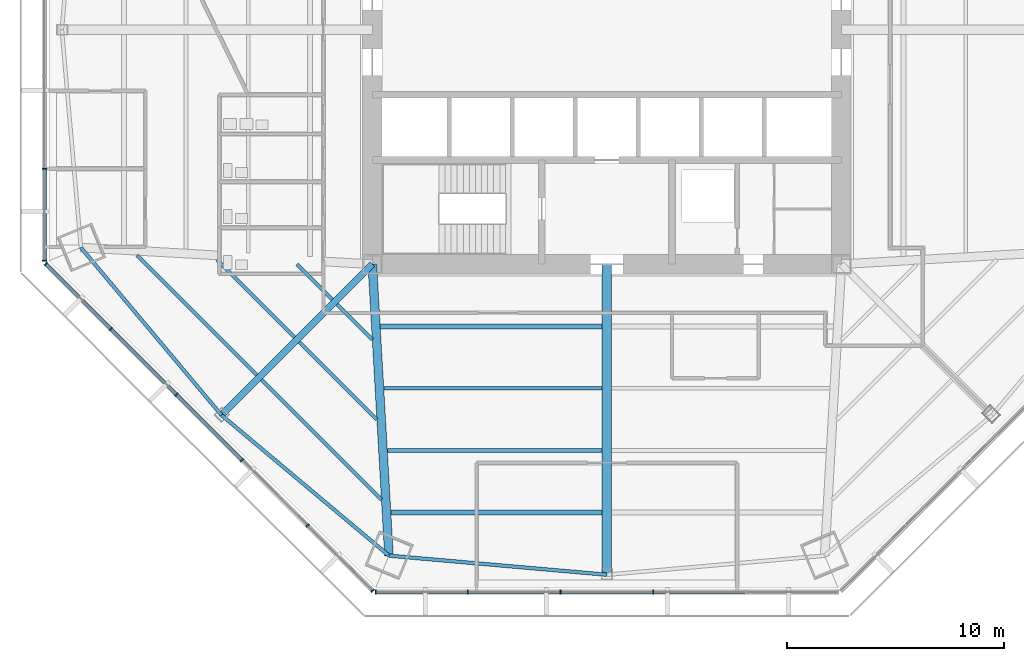
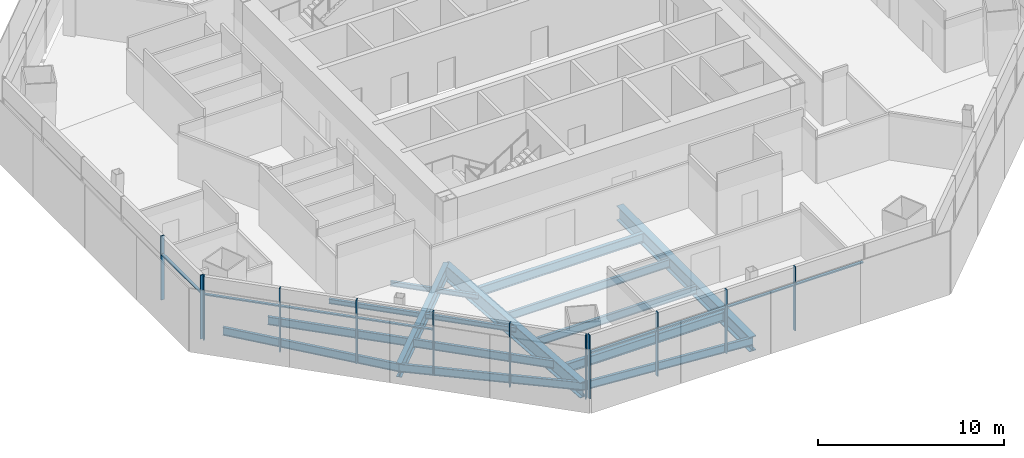
# One storey, part 2 of 15: 20 members, 16 beams, 3 elements without a shape of their own.
"""IFC4 building model written with IfcOpenShell, lengths in metres."""

from ifc_helpers import new_model, si_unit, direction, frame, origin, origin_2d, place, context, subcontext, project, spatial, rectangle, i_section, extrude, source, transform, mapped, material, material_profile, profile_set, type_object, type_shapes, element, aggregate, save


model = new_model("IFC4")

# Units and contexts
model_context = context("Model", 3, precision=1e-05, world=origin(), true_north=direction((0.0, 1.0)))
body_context = subcontext(model_context, "Body", "Model", "MODEL_VIEW")
ifc_project = project(units=[si_unit("LENGTHUNIT", "METRE"), si_unit("AREAUNIT", "SQUARE_METRE"), si_unit("VOLUMEUNIT", "CUBIC_METRE"), si_unit("PLANEANGLEUNIT", "RADIAN"), si_unit("MASSUNIT", "GRAM", prefix="KILO")], contexts=[model_context])

# Site, building, storey
site_placement = place(None, origin())
site = spatial("IfcSite", under=ifc_project, at=site_placement, CompositionType="ELEMENT")
building_placement = place(site_placement, origin())
building = spatial("IfcBuilding", under=site, at=building_placement, Name="Mashrafa Tower", CompositionType="ELEMENT")
storey_placement = place(building_placement, frame((0.0, 0.0, 75.0)))
storey = spatial("IfcBuildingStorey", under=building, at=storey_placement, Name="L16", CompositionType="ELEMENT", Elevation=75.0)

# Beams
ifc_material_1 = material(Name="Steel ASTM A992", Category="steel")
ifc_material_profile_1 = material_profile(ifc_material_1, i_section(OverallWidth=0.164794921875, OverallDepth=0.309814453125, WebThickness=0.005859375, FlangeThickness=0.009765625, FilletRadius=0.007568359375, at=origin_2d()), Name="W12X26")
ifc_profile_set_1 = profile_set([ifc_material_profile_1], Name="Steel ASTM A992")
beam_type_1 = type_object("IfcBeamType", Name="Beam W12X26", PredefinedType="BEAM", material=ifc_profile_set_1)
beam_1_placement = place(storey_placement, frame((-14.381103515625, -14.16552734375, -0.31982421875), z_axis=(-0.707106781187, 0.707106781187, 0.0), x_axis=(-0.707106781187, -0.707106781187, 0.0)))
element("IfcBeam", 1, at=beam_1_placement, inside=storey, type_object=beam_type_1, Name="Floor beam L16 012", PredefinedType="BEAM", context=body_context, shape_type="SweptSolid", body=[
    extrude(i_section(OverallWidth=0.164794921875, OverallDepth=0.309814453125, WebThickness=0.005859375, FlangeThickness=0.009765625, FilletRadius=0.007568359375, at=origin_2d()), origin(), (0.0, 0.0, 1.0), 5.054443359375),
])
for number, where, z_axis, x_axis, name in (
    (2, (-12.64453125, -12.428955078125, -0.31982421875), (-0.707106781187, 0.707106781187, 0.0), (-0.707106781187, -0.707106781187, 0.0), "Floor beam L16 016"),
    (3, (-10.802490234375, -14.27099609375, -0.31982421875), (-0.707106781187, 0.707106781187, 0.0), (-0.707106781187, -0.707106781187, 0.0), "Floor beam L16 019"),
):
    element("IfcBeam", number, at=place(storey_placement, frame(where, z_axis=z_axis, x_axis=x_axis)), inside=storey, type_object=beam_type_1, Name=name, PredefinedType="BEAM", context=body_context, shape_type="SweptSolid", body=[
        extrude(i_section(OverallWidth=0.164794921875, OverallDepth=0.309814453125, WebThickness=0.005859375, FlangeThickness=0.009765625, FilletRadius=0.007568359375, at=origin_2d()), origin(), (0.0, 0.0, 1.0), 2.300048828125),
    ])
beam_2_placement = place(storey_placement, frame((-10.591552734375, -17.955078125, -0.31982421875), z_axis=(-0.707106781187, 0.707106781187, 0.0), x_axis=(-0.707106781187, -0.707106781187, 0.0)))
element("IfcBeam", 4, at=beam_2_placement, inside=storey, type_object=beam_type_1, Name="Floor beam L16 021", PredefinedType="BEAM", context=body_context, shape_type="SweptSolid", body=[
    extrude(i_section(OverallWidth=0.164794921875, OverallDepth=0.309814453125, WebThickness=0.005859375, FlangeThickness=0.009765625, FilletRadius=0.007568359375, at=origin_2d()), origin(), (0.0, 0.0, 1.0), 5.054443359375),
])
ifc_material_2 = material(Name="Steel ASTM A992", Category="steel")
ifc_material_profile_2 = material_profile(ifc_material_2, i_section(OverallWidth=0.165771484375, OverallDepth=0.5283203125, WebThickness=0.009765625, FlangeThickness=0.013671875, FilletRadius=0.012939453125, at=origin_2d()), Name="W21X50")
ifc_profile_set_2 = profile_set([ifc_material_profile_2], Name="Steel ASTM A992")
beam_type_2 = type_object("IfcBeamType", Name="Beam W21X50", PredefinedType="BEAM", material=ifc_profile_set_2)
for number, where, z_axis, x_axis, name in (
    (5, (-16.117919921875, -15.90234375, -0.42919921875), (-0.707091148472, 0.707122413556, 0.0), (-0.707122413556, -0.707091148472, 0.0), "Floor beam L16 009"),
    (6, (-10.380615234375, -21.639404296875, -0.42919921875), (-0.707122413556, 0.707091148472, 0.0), (-0.707091148472, -0.707122413556, 0.0), "Floor beam L16 023"),
):
    element("IfcBeam", number, at=place(storey_placement, frame(where, z_axis=z_axis, x_axis=x_axis)), inside=storey, type_object=beam_type_2, Name=name, PredefinedType="BEAM", context=body_context, shape_type="SweptSolid", body=[
        extrude(i_section(OverallWidth=0.165771484375, OverallDepth=0.5283203125, WebThickness=0.009765625, FlangeThickness=0.013671875, FilletRadius=0.012939453125, at=origin_2d()), origin(), (0.0, 0.0, 1.0), 7.808837890625),
    ])
beam_3_placement = place(storey_placement, frame((-0.212158203125, -19.378662109375, -0.42919921875), z_axis=(-1.0, 0.0, 0.0), x_axis=(0.0, -1.0, 0.0)))
element("IfcBeam", 7, at=beam_3_placement, inside=storey, type_object=beam_type_2, Name="Floor beam L16 026", PredefinedType="BEAM", context=body_context, shape_type="SweptSolid", body=[
    extrude(i_section(OverallWidth=0.165771484375, OverallDepth=0.5283203125, WebThickness=0.009765625, FlangeThickness=0.013671875, FilletRadius=0.012939453125, at=origin_2d()), origin(), (0.0, 0.0, 1.0), 9.89599609375),
])
beam_4_placement = place(storey_placement, frame((-0.212158203125, -16.51904296875, -0.42919921875), z_axis=(-1.0, 0.0, 0.0), x_axis=(0.0, -1.0, 0.0)))
element("IfcBeam", 8, at=beam_4_placement, inside=storey, type_object=beam_type_2, Name="Floor beam L16 027", PredefinedType="BEAM", context=body_context, shape_type="SweptSolid", body=[
    extrude(i_section(OverallWidth=0.165771484375, OverallDepth=0.5283203125, WebThickness=0.009765625, FlangeThickness=0.013671875, FilletRadius=0.012939453125, at=origin_2d()), origin(), (0.0, 0.0, 1.0), 10.0595703125),
])
for number, where, z_axis, x_axis, name in (
    (9, (-24.219482421875, -10.031982421875, -0.42919921875), (0.642737127669, -0.766086799727, 0.0), (0.766086799727, 0.642737127669, 0.0), "Spandrel beam L16 074"),
    (10, (-17.746826171875, -17.746826171875, -0.42919921875), (0.766086799727, -0.642737127669, 0.0), (0.642737127669, 0.766086799727, 0.0), "Spandrel beam L16 076"),
):
    element("IfcBeam", number, at=place(storey_placement, frame(where, z_axis=z_axis, x_axis=x_axis)), inside=storey, type_object=beam_type_2, Name=name, PredefinedType="BEAM", context=body_context, shape_type="SweptSolid", body=[
        extrude(i_section(OverallWidth=0.165771484375, OverallDepth=0.5283203125, WebThickness=0.009765625, FlangeThickness=0.013671875, FilletRadius=0.012939453125, at=origin_2d()), origin(), (0.0, 0.0, 1.0), 10.070556640625),
    ])
beam_5_placement = place(storey_placement, frame((-10.031982421875, -24.219482421875, -0.42919921875), z_axis=(0.996190480079, -0.087203941419, 0.0), x_axis=(0.087203941419, 0.996190480079, 0.0)))
element("IfcBeam", 11, at=beam_5_placement, inside=storey, type_object=beam_type_2, Name="Spandrel beam L16 078", PredefinedType="BEAM", context=body_context, shape_type="SweptSolid", body=[
    extrude(i_section(OverallWidth=0.165771484375, OverallDepth=0.5283203125, WebThickness=0.009765625, FlangeThickness=0.013671875, FilletRadius=0.012939453125, at=origin_2d()), origin(), (0.0, 0.0, 1.0), 10.0703125),
])
ifc_material_3 = material(Name="Steel ASTM A992", Category="steel")
ifc_material_profile_3 = material_profile(ifc_material_3, i_section(OverallWidth=0.227783203125, OverallDepth=0.60205078125, WebThickness=0.010498046875, FlangeThickness=0.014892578125, FilletRadius=0.012939453125, at=origin_2d()), Name="W24X68")
ifc_profile_set_3 = profile_set([ifc_material_profile_3], Name="Steel ASTM A992")
beam_type_3 = type_object("IfcBeamType", Name="Beam W24X68", PredefinedType="BEAM", material=ifc_profile_set_3)
beam_6_placement = place(storey_placement, frame((-0.212158203125, -22.23828125, -0.466064453125), z_axis=(-1.0, 0.0, 0.0), x_axis=(0.0, -1.0, 0.0)))
element("IfcBeam", 12, at=beam_6_placement, inside=storey, type_object=beam_type_3, Name="Floor beam L16 025", PredefinedType="BEAM", context=body_context, shape_type="SweptSolid", body=[
    extrude(i_section(OverallWidth=0.227783203125, OverallDepth=0.60205078125, WebThickness=0.010498046875, FlangeThickness=0.014892578125, FilletRadius=0.012939453125, at=origin_2d()), origin(), (0.0, 0.0, 1.0), 9.732421875),
])
beam_7_placement = place(storey_placement, frame((-0.212158203125, -13.659423828125, -0.466064453125), z_axis=(-1.0, 0.0, 0.0), x_axis=(0.0, -1.0, 0.0)))
element("IfcBeam", 13, at=beam_7_placement, inside=storey, type_object=beam_type_3, Name="Floor beam L16 028", PredefinedType="BEAM", context=body_context, shape_type="SweptSolid", body=[
    extrude(i_section(OverallWidth=0.227783203125, OverallDepth=0.60205078125, WebThickness=0.010498046875, FlangeThickness=0.014892578125, FilletRadius=0.012939453125, at=origin_2d()), origin(), (0.0, 0.0, 1.0), 10.22314453125),
])
ifc_material_4 = material(Name="Steel ASTM A992", Category="steel")
ifc_material_profile_4 = material_profile(ifc_material_4, i_section(OverallWidth=0.3046875, OverallDepth=0.911865234375, WebThickness=0.015869140625, FlangeThickness=0.02392578125, FilletRadius=0.01904296875, at=origin_2d()), Name="W36X150")
ifc_profile_set_4 = profile_set([ifc_material_profile_4], Name="Steel ASTM A992")
beam_type_4 = type_object("IfcBeamType", Name="Beam W36X150", PredefinedType="BEAM", material=ifc_profile_set_4)
beam_8_placement = place(storey_placement, frame((-10.800048828125, -10.800048828125, -0.620849609375), z_axis=(-0.707106781187, -0.707106781187, 0.0), x_axis=(0.707106781187, -0.707106781187, 0.0)))
element("IfcBeam", 14, at=beam_8_placement, inside=storey, type_object=beam_type_4, Name="Radial girder L16 058", PredefinedType="BEAM", context=body_context, shape_type="SweptSolid", body=[
    extrude(i_section(OverallWidth=0.3046875, OverallDepth=0.911865234375, WebThickness=0.015869140625, FlangeThickness=0.02392578125, FilletRadius=0.01904296875, at=origin_2d()), origin(), (0.0, 0.0, 1.0), 9.82421875),
])
ifc_material_5 = material(Name="Steel ASTM A992", Category="steel")
ifc_material_profile_5 = material_profile(ifc_material_5, i_section(OverallWidth=0.424072265625, OverallDepth=0.960205078125, WebThickness=0.028564453125, FlangeThickness=0.051025390625, FilletRadius=0.02001953125, at=origin_2d()), Name="W36X361")
ifc_profile_set_5 = profile_set([ifc_material_profile_5], Name="Steel ASTM A992")
beam_type_5 = type_object("IfcBeamType", Name="Beam W36X361", PredefinedType="BEAM", material=ifc_profile_set_5)
beam_9_placement = place(storey_placement, frame((0.0, -10.800048828125, -0.64501953125), z_axis=(0.0, -1.0, 0.0), x_axis=(1.0, 0.0, 0.0)))
element("IfcBeam", 15, at=beam_9_placement, inside=storey, type_object=beam_type_5, Name="Radial girder L16 064", PredefinedType="BEAM", context=body_context, shape_type="SweptSolid", body=[
    extrude(i_section(OverallWidth=0.424072265625, OverallDepth=0.960205078125, WebThickness=0.028564453125, FlangeThickness=0.051025390625, FilletRadius=0.02001953125, at=origin_2d()), origin(), (0.0, 0.0, 1.0), 14.297607421875),
])
ifc_material_6 = material(Name="Steel ASTM A992", Category="steel")
ifc_material_profile_6 = material_profile(ifc_material_6, i_section(OverallWidth=0.4013671875, OverallDepth=1.010986328125, WebThickness=0.023681640625, FlangeThickness=0.0419921875, FilletRadius=0.02001953125, at=origin_2d()), Name="W40X297")
ifc_profile_set_6 = profile_set([ifc_material_profile_6], Name="Steel ASTM A992")
beam_type_6 = type_object("IfcBeamType", Name="Beam W40X297", PredefinedType="BEAM", material=ifc_profile_set_6)
beam_10_placement = place(storey_placement, frame((-10.800048828125, -10.800048828125, -0.67041015625), z_axis=(0.0571418632, -0.99836606887, 0.0), x_axis=(0.99836606887, 0.0571418632, 0.0)))
element("IfcBeam", 16, at=beam_10_placement, inside=storey, type_object=beam_type_6, Name="Radial girder L16 059", PredefinedType="BEAM", context=body_context, shape_type="SweptSolid", body=[
    extrude(i_section(OverallWidth=0.4013671875, OverallDepth=1.010986328125, WebThickness=0.023681640625, FlangeThickness=0.0419921875, FilletRadius=0.02001953125, at=origin_2d()), origin(), (0.0, 0.0, 1.0), 13.44140625),
])

# Curtain wall, members
ifc_material_7 = material(Name="Unitised aluminium curtain wall", Category="aluminium")
curtain_wall_type = type_object("IfcCurtainWallType", Name="Office curtain wall, zone 1 CW-A 200 deep", PredefinedType="NOTDEFINED", material=ifc_material_7)
curtain_wall_1_placement = place(storey_placement, origin())
curtain_wall_1 = element("IfcCurtainWall", 17, at=curtain_wall_1_placement, inside=storey, type_object=curtain_wall_type, Name="Office curtain wall, zone 1 L16 west", PredefinedType="NOTDEFINED")
ifc_material_8 = material(Name="Extruded aluminium mullion", Category="aluminium")
ifc_material_profile_7 = material_profile(ifc_material_8, rectangle(XDim=0.199951171875, YDim=0.06494140625, at=origin_2d()), Name="Mullion 65x200")
ifc_profile_set_7 = profile_set([ifc_material_profile_7], Name="Extruded aluminium mullion")
member_type_1 = type_object("IfcMemberType", Name="Mullion CW-A 65 x 200", PredefinedType="MULLION", material=ifc_profile_set_7)
shared_shape_1 = source(origin(), body_context, "Body", "SweptSolid", [
    extrude(rectangle(XDim=0.199951171875, YDim=0.06494140625, at=origin_2d()), origin(), (0.0, 0.0, 1.0), 4.199951171875),
])
type_shapes(member_type_1, [shared_shape_1])
member_1_placement = place(storey_placement, frame((-25.89306640625, -6.404296875, 0.0), z_axis=(0.0, 0.0, 1.0), x_axis=(1.0, 0.0, 0.0)))
member_1 = element("IfcMember", 18, at=member_1_placement, type_object=member_type_1, Name="CW-A mullion 5", PredefinedType="MULLION", context=body_context, shape_type="MappedRepresentation", body=[
    mapped(shared_shape_1, transform((0.0, 0.0, 0.0))),
])
member_2_placement = place(storey_placement, frame((-25.89306640625, -10.641357421875, 0.0), z_axis=(0.0, 0.0, 1.0), x_axis=(1.0, 0.0, 0.0)))
member_2 = element("IfcMember", 19, at=member_2_placement, type_object=member_type_1, Name="CW-A mullion 6", PredefinedType="MULLION", context=body_context, shape_type="MappedRepresentation", body=[
    mapped(shared_shape_1, transform((0.0, 0.0, 0.0))),
])

curtain_wall_2_placement = place(storey_placement, origin())
curtain_wall_2 = element("IfcCurtainWall", 20, at=curtain_wall_2_placement, inside=storey, type_object=curtain_wall_type, Name="Office curtain wall, zone 1 L16 south-west", PredefinedType="NOTDEFINED")
member_3_placement = place(storey_placement, frame((-25.833740234375, -10.78466796875, 0.0), z_axis=(0.0, 0.0, 1.0), x_axis=(0.707106781187, 0.707106781187, 0.0)))
member_3 = element("IfcMember", 21, at=member_3_placement, type_object=member_type_1, Name="CW-A mullion 1", PredefinedType="MULLION", context=body_context, shape_type="MappedRepresentation", body=[
    mapped(shared_shape_1, transform((0.0, 0.0, 0.0))),
])
member_4_placement = place(storey_placement, frame((-22.837646484375, -13.780517578125, 0.0), z_axis=(0.0, 0.0, 1.0), x_axis=(0.707106781187, 0.707106781187, 0.0)))
member_4 = element("IfcMember", 22, at=member_4_placement, type_object=member_type_1, Name="CW-A mullion 2", PredefinedType="MULLION", context=body_context, shape_type="MappedRepresentation", body=[
    mapped(shared_shape_1, transform((0.0, 0.0, 0.0))),
])
member_5_placement = place(storey_placement, frame((-19.818603515625, -16.799560546875, 0.0), z_axis=(0.0, 0.0, 1.0), x_axis=(0.707106781187, 0.707106781187, 0.0)))
member_5 = element("IfcMember", 23, at=member_5_placement, type_object=member_type_1, Name="CW-A mullion 3", PredefinedType="MULLION", context=body_context, shape_type="MappedRepresentation", body=[
    mapped(shared_shape_1, transform((0.0, 0.0, 0.0))),
])
member_6_placement = place(storey_placement, frame((-16.799560546875, -19.818603515625, 0.0), z_axis=(0.0, 0.0, 1.0), x_axis=(0.707106781187, 0.707106781187, 0.0)))
member_6 = element("IfcMember", 24, at=member_6_placement, type_object=member_type_1, Name="CW-A mullion 4", PredefinedType="MULLION", context=body_context, shape_type="MappedRepresentation", body=[
    mapped(shared_shape_1, transform((0.0, 0.0, 0.0))),
])
member_7_placement = place(storey_placement, frame((-13.780517578125, -22.837646484375, 0.0), z_axis=(0.0, 0.0, 1.0), x_axis=(0.707106781187, 0.707106781187, 0.0)))
member_7 = element("IfcMember", 25, at=member_7_placement, type_object=member_type_1, Name="CW-A mullion 5", PredefinedType="MULLION", context=body_context, shape_type="MappedRepresentation", body=[
    mapped(shared_shape_1, transform((0.0, 0.0, 0.0))),
])
member_8_placement = place(storey_placement, frame((-10.78466796875, -25.833740234375, 0.0), z_axis=(0.0, 0.0, 1.0), x_axis=(0.707106781187, 0.707106781187, 0.0)))
member_8 = element("IfcMember", 26, at=member_8_placement, type_object=member_type_1, Name="CW-A mullion 6", PredefinedType="MULLION", context=body_context, shape_type="MappedRepresentation", body=[
    mapped(shared_shape_1, transform((0.0, 0.0, 0.0))),
])

curtain_wall_3_placement = place(storey_placement, origin())
curtain_wall_3 = element("IfcCurtainWall", 27, at=curtain_wall_3_placement, inside=storey, type_object=curtain_wall_type, Name="Office curtain wall, zone 1 L16 south", PredefinedType="NOTDEFINED")
member_9_placement = place(storey_placement, frame((-10.641357421875, -25.89306640625, 0.0), z_axis=(0.0, 0.0, 1.0), x_axis=(0.0, 1.0, 0.0)))
member_9 = element("IfcMember", 28, at=member_9_placement, type_object=member_type_1, Name="CW-A mullion 1", PredefinedType="MULLION", context=body_context, shape_type="MappedRepresentation", body=[
    mapped(shared_shape_1, transform((0.0, 0.0, 0.0))),
])
member_10_placement = place(storey_placement, frame((-6.404296875, -25.89306640625, 0.0), z_axis=(0.0, 0.0, 1.0), x_axis=(0.0, 1.0, 0.0)))
member_10 = element("IfcMember", 29, at=member_10_placement, type_object=member_type_1, Name="CW-A mullion 2", PredefinedType="MULLION", context=body_context, shape_type="MappedRepresentation", body=[
    mapped(shared_shape_1, transform((0.0, 0.0, 0.0))),
])
member_11_placement = place(storey_placement, frame((-2.134765625, -25.89306640625, 0.0), z_axis=(0.0, 0.0, 1.0), x_axis=(0.0, 1.0, 0.0)))
member_11 = element("IfcMember", 30, at=member_11_placement, type_object=member_type_1, Name="CW-A mullion 3", PredefinedType="MULLION", context=body_context, shape_type="MappedRepresentation", body=[
    mapped(shared_shape_1, transform((0.0, 0.0, 0.0))),
])
member_12_placement = place(storey_placement, frame((2.134765625, -25.89306640625, 0.0), z_axis=(0.0, 0.0, 1.0), x_axis=(0.0, 1.0, 0.0)))
member_12 = element("IfcMember", 31, at=member_12_placement, type_object=member_type_1, Name="CW-A mullion 4", PredefinedType="MULLION", context=body_context, shape_type="MappedRepresentation", body=[
    mapped(shared_shape_1, transform((0.0, 0.0, 0.0))),
])

# Member
ifc_material_9 = material(Name="Extruded aluminium transom", Category="aluminium")
ifc_material_profile_8 = material_profile(ifc_material_9, rectangle(XDim=0.159912109375, YDim=0.080078125, at=origin_2d()), Name="Transom 80x160")
ifc_profile_set_8 = profile_set([ifc_material_profile_8], Name="Extruded aluminium transom")
member_type_2 = type_object("IfcMemberType", Name="Transom CW-A 80 x 160", PredefinedType="MULLION", material=ifc_profile_set_8)
shared_shape_2 = source(origin(), body_context, "Body", "SweptSolid", [
    extrude(rectangle(XDim=0.159912109375, YDim=0.080078125, at=origin_2d()), origin(), (0.0, 0.0, 1.0), 4.172119140625),
])
member_13_placement = place(storey_placement, frame((-25.89306640625, -6.436767578125, 3.0), z_axis=(0.0, -1.0, 0.0), x_axis=(1.0, 0.0, 0.0)))
member_13 = element("IfcMember", 32, at=member_13_placement, type_object=member_type_2, Name="CW-A transom 5", PredefinedType="MULLION", context=body_context, shape_type="MappedRepresentation", body=[
    mapped(shared_shape_2, transform((0.0, 0.0, 0.0))),
])

aggregate(curtain_wall_1, [member_1, member_2, member_13])

member_14_placement = place(storey_placement, frame((-25.810791015625, -10.8076171875, 3.0), z_axis=(0.707136039769, -0.707077521394, 0.0), x_axis=(0.707077521394, 0.707136039769, 0.0)))
member_14 = element("IfcMember", 33, at=member_14_placement, type_object=member_type_2, Name="CW-A transom 1", PredefinedType="MULLION", context=body_context, shape_type="MappedRepresentation", body=[
    mapped(shared_shape_2, transform((0.0, 0.0, 0.0))),
])

member_15_placement = place(storey_placement, frame((-10.60888671875, -25.89306640625, 3.0), z_axis=(1.0, 0.0, 0.0), x_axis=(0.0, 1.0, 0.0)))
member_15 = element("IfcMember", 34, at=member_15_placement, type_object=member_type_2, Name="CW-A transom 1", PredefinedType="MULLION", context=body_context, shape_type="MappedRepresentation", body=[
    mapped(shared_shape_2, transform((0.0, 0.0, 0.0))),
])

shared_shape_3 = source(origin(), body_context, "Body", "SweptSolid", [
    extrude(rectangle(XDim=0.159912109375, YDim=0.080078125, at=origin_2d()), origin(), (0.0, 0.0, 1.0), 4.20458984375),
])
member_16_placement = place(storey_placement, frame((-22.814697265625, -13.8037109375, 3.0), z_axis=(0.707135813922, -0.707077747259, 0.0), x_axis=(0.707077747259, 0.707135813922, 0.0)))
member_16 = element("IfcMember", 35, at=member_16_placement, type_object=member_type_2, Name="CW-A transom 2", PredefinedType="MULLION", context=body_context, shape_type="MappedRepresentation", body=[
    mapped(shared_shape_3, transform((0.0, 0.0, 0.0))),
])

member_17_placement = place(storey_placement, frame((-6.371826171875, -25.89306640625, 3.0), z_axis=(1.0, 0.0, 0.0), x_axis=(0.0, 1.0, 0.0)))
member_17 = element("IfcMember", 36, at=member_17_placement, type_object=member_type_2, Name="CW-A transom 2", PredefinedType="MULLION", context=body_context, shape_type="MappedRepresentation", body=[
    mapped(shared_shape_3, transform((0.0, 0.0, 0.0))),
])

member_18_placement = place(storey_placement, frame((-2.102294921875, -25.89306640625, 3.0), z_axis=(1.0, 0.0, 0.0), x_axis=(0.0, 1.0, 0.0)))
member_18 = element("IfcMember", 37, at=member_18_placement, type_object=member_type_2, Name="CW-A transom 3", PredefinedType="MULLION", context=body_context, shape_type="MappedRepresentation", body=[
    mapped(shared_shape_3, transform((0.0, 0.0, 0.0))),
])

member_19_placement = place(storey_placement, frame((2.167236328125, -25.89306640625, 3.0), z_axis=(1.0, 0.0, 0.0), x_axis=(0.0, 1.0, 0.0)))
member_19 = element("IfcMember", 38, at=member_19_placement, type_object=member_type_2, Name="CW-A transom 4", PredefinedType="MULLION", context=body_context, shape_type="MappedRepresentation", body=[
    mapped(shared_shape_3, transform((0.0, 0.0, 0.0))),
])

aggregate(curtain_wall_3, [member_9, member_10, member_11, member_12, member_15, member_17, member_18, member_19])

shared_shape_4 = source(origin(), body_context, "Body", "SweptSolid", [
    extrude(rectangle(XDim=0.159912109375, YDim=0.080078125, at=origin_2d()), origin(), (0.0, 0.0, 1.0), 4.204345703125),
])
type_shapes(member_type_2, [shared_shape_2, shared_shape_3, shared_shape_4])
member_20_placement = place(storey_placement, frame((-19.795654296875, -16.82275390625, 3.0), z_axis=(0.707106781187, -0.707106781187, 0.0), x_axis=(0.707106781187, 0.707106781187, 0.0)))
member_20 = element("IfcMember", 39, at=member_20_placement, type_object=member_type_2, Name="CW-A transom 3", PredefinedType="MULLION", context=body_context, shape_type="MappedRepresentation", body=[
    mapped(shared_shape_4, transform((0.0, 0.0, 0.0))),
])

aggregate(curtain_wall_2, [member_3, member_4, member_5, member_6, member_7, member_8, member_14, member_16, member_20])

save(model, "model.ifc")
